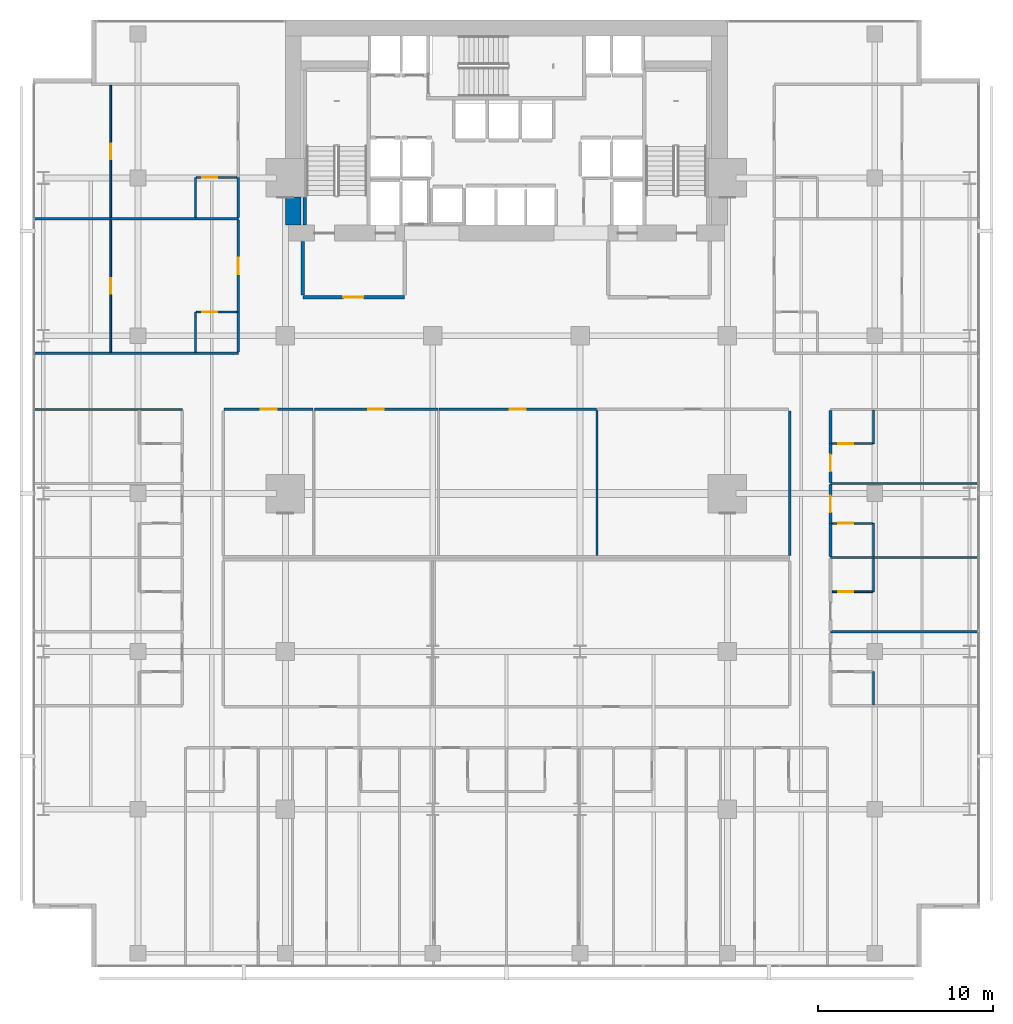
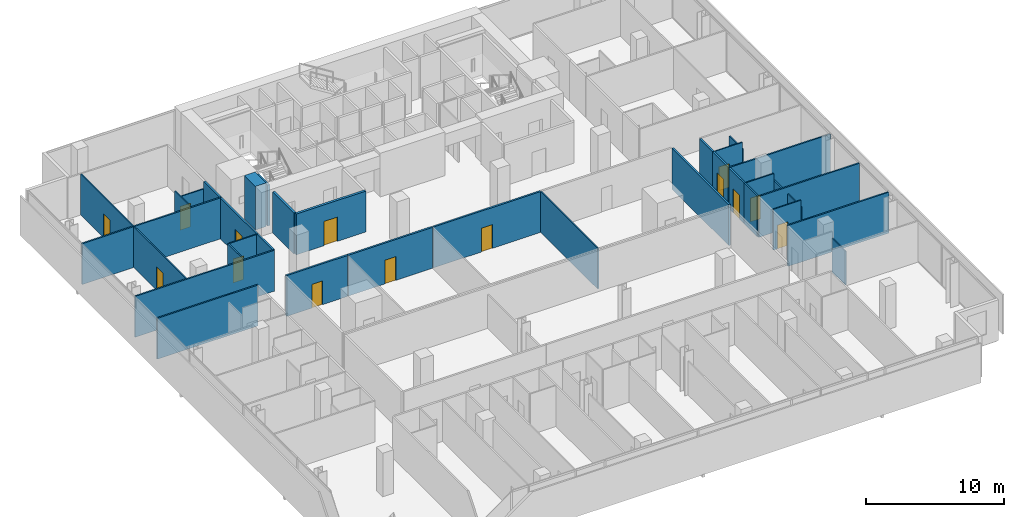
# One storey, part 35 of 40: 35 walls, 14 doors, 14 openings.
"""IFC4 building model written with IfcOpenShell, lengths in metres."""

from ifc_helpers import new_model, si_unit, direction, frame, frame_2d, origin, place, context, subcontext, project, spatial, rectangle, extrude, material, layer, layer_set, type_object, element, fill, save


model = new_model("IFC4")

# Units and contexts
model_context = context("Model", 3, precision=1e-05, world=origin(), true_north=direction((0.0, 1.0)))
body_context = subcontext(model_context, "Body", "Model", "MODEL_VIEW")
ifc_project = project(units=[si_unit("LENGTHUNIT", "METRE"), si_unit("AREAUNIT", "SQUARE_METRE"), si_unit("VOLUMEUNIT", "CUBIC_METRE"), si_unit("PLANEANGLEUNIT", "RADIAN"), si_unit("MASSUNIT", "GRAM", prefix="KILO")], contexts=[model_context])

# Site, building, storey
site_placement = place(None, origin())
site = spatial("IfcSite", under=ifc_project, at=site_placement, CompositionType="ELEMENT")
building_placement = place(site_placement, origin())
building = spatial("IfcBuilding", under=site, at=building_placement, Name="Maruvema Waterfront Hotel and Observation Tower", CompositionType="ELEMENT")
storey_placement = place(building_placement, frame((0.0, 0.0, 34.64990234375)))
storey = spatial("IfcBuildingStorey", under=building, at=storey_placement, Name="L07", CompositionType="ELEMENT", Elevation=34.64990234375)

# Wall
ifc_material_1 = material(Name="Twin-stud acoustic gypsum drywall", Category="gypsum")
ifc_layer_1 = layer(ifc_material_1, 0.14990234375, Name="Acoustic Corridor and Suite Demising Wall 150 mm")
ifc_layer_set_1 = layer_set([ifc_layer_1], Name="Twin-stud acoustic gypsum drywall")
wall_type_1 = type_object("IfcWallType", Name="Acoustic Corridor and Suite Demising Wall 150 mm", PredefinedType="PARTITIONING", material=ifc_layer_set_1)
wall_1_placement = place(storey_placement, frame((53.949951171875, 23.47998046875, 0.0), z_axis=(0.0, 0.0, 1.0), x_axis=(0.0, 1.0, 0.0)))
element("IfcWall", 1, at=wall_1_placement, inside=storey, type_object=wall_type_1, Name="L07 L07-INTN East Wall 014", PredefinedType="PARTITIONING", context=body_context, shape_type="SweptSolid", body=[
    extrude(rectangle(XDim=8.239990234375, YDim=0.14990234375, at=frame_2d((4.1201171875, 0.0))), origin(), (0.0, 0.0, 1.0), 3.610107421875),
])

# Wall, opening, door
wall_2_placement = place(storey_placement, frame((21.7099609375, 31.800048828125, 0.0), z_axis=(0.0, 0.0, 1.0), x_axis=(1.0, 0.0, 0.0)))
wall_2 = element("IfcWall", 2, at=wall_2_placement, inside=storey, type_object=wall_type_1, Name="L07 L07-INTN Front 1 015", PredefinedType="PARTITIONING", context=body_context, shape_type="SweptSolid", body=[
    extrude(rectangle(XDim=5.078125, YDim=0.14990234375, at=frame_2d((2.5390625, 0.0))), origin(), (0.0, 0.0, 1.0), 3.610107421875),
])
opening_1_placement = place(wall_2_placement, frame((2.089111328125, 0.0, 0.0)))
opening_1 = element("IfcOpeningElement", 3, at=opening_1_placement, cuts=wall_2, Name="Opening DR-090", PredefinedType="OPENING", context=body_context, shape_type="SweptSolid", body=[
    extrude(rectangle(XDim=0.89990234375, YDim=2.10009765625, at=frame_2d((0.449951171875, 1.050048828125))), frame((0.0, 0.0849609375, 0.0), z_axis=(0.0, -1.0, 0.0), x_axis=(1.0, 0.0, 0.0)), (0.0, 0.0, 1.0), 0.169921875),
])
ifc_material_2 = material(Name="Solid-core lacquered timber leaf", Category="wood")
door_type_1 = type_object("IfcDoorType", Name="Accessible Toilet and Room Door 900x2100 mm", OperationType="NOTDEFINED", PredefinedType="DOOR", material=ifc_material_2)
door_1_placement = place(opening_1_placement, origin())
door_1 = element("IfcDoor", 4, at=door_1_placement, inside=storey, type_object=door_type_1, Name="L07 Business Office 1 Door", OperationType="SINGLE_SWING_LEFT", OverallHeight=2.10009765625, OverallWidth=0.89990234375, PredefinedType="DOOR", context=body_context, shape_type="SweptSolid", body=[
    extrude(rectangle(XDim=0.89990234375, YDim=2.10009765625, at=frame_2d((0.449951171875, 1.050048828125))), frame((0.0, 0.02490234375, 0.0), z_axis=(0.0, -1.0, 0.0), x_axis=(1.0, 0.0, 0.0)), (0.0, 0.0, 1.0), 0.050048828125),
])
fill(opening_1, door_1)

wall_3_placement = place(storey_placement, frame((26.847900390625, 31.800048828125, 0.0), z_axis=(0.0, 0.0, 1.0), x_axis=(1.0, 0.0, 0.0)))
wall_3 = element("IfcWall", 5, at=wall_3_placement, inside=storey, type_object=wall_type_1, Name="L07 L07-INTN Front 2 017", PredefinedType="PARTITIONING", context=body_context, shape_type="SweptSolid", body=[
    extrude(rectangle(XDim=7.046142578125, YDim=0.14990234375, at=frame_2d((3.52294921875, 0.0))), origin(), (0.0, 0.0, 1.0), 3.610107421875),
])
opening_2_placement = place(wall_3_placement, frame((3.072998046875, 0.0, 0.0)))
opening_2 = element("IfcOpeningElement", 6, at=opening_2_placement, cuts=wall_3, Name="Opening DR-090", PredefinedType="OPENING", context=body_context, shape_type="SweptSolid", body=[
    extrude(rectangle(XDim=0.89990234375, YDim=2.10009765625, at=frame_2d((0.449951171875, 1.050048828125))), frame((0.0, 0.0849609375, 0.0), z_axis=(0.0, -1.0, 0.0), x_axis=(1.0, 0.0, 0.0)), (0.0, 0.0, 1.0), 0.169921875),
])
door_2_placement = place(opening_2_placement, origin())
door_2 = element("IfcDoor", 7, at=door_2_placement, inside=storey, type_object=door_type_1, Name="L07 Business Office 2 Door", OperationType="SINGLE_SWING_RIGHT", OverallHeight=2.10009765625, OverallWidth=0.89990234375, PredefinedType="DOOR", context=body_context, shape_type="SweptSolid", body=[
    extrude(rectangle(XDim=0.89990234375, YDim=2.10009765625, at=frame_2d((0.449951171875, 1.050048828125))), frame((0.0, 0.02490234375, 0.0), z_axis=(0.0, -1.0, 0.0), x_axis=(1.0, 0.0, 0.0)), (0.0, 0.0, 1.0), 0.050048828125),
])
fill(opening_2, door_2)

wall_4_placement = place(storey_placement, frame((33.9541015625, 31.800048828125, 0.0), z_axis=(0.0, 0.0, 1.0), x_axis=(1.0, 0.0, 0.0)))
wall_4 = element("IfcWall", 8, at=wall_4_placement, inside=storey, type_object=wall_type_1, Name="L07 L07-INTN Front 3 019", PredefinedType="PARTITIONING", context=body_context, shape_type="SweptSolid", body=[
    extrude(rectangle(XDim=8.98388671875, YDim=0.14990234375, at=frame_2d((4.491943359375, 0.0))), origin(), (0.0, 0.0, 1.0), 3.610107421875),
])
opening_3_placement = place(wall_4_placement, frame((4.0419921875, 0.0, 0.0)))
opening_3 = element("IfcOpeningElement", 9, at=opening_3_placement, cuts=wall_4, Name="Opening DR-090", PredefinedType="OPENING", context=body_context, shape_type="SweptSolid", body=[
    extrude(rectangle(XDim=0.89990234375, YDim=2.10009765625, at=frame_2d((0.449951171875, 1.050048828125))), frame((0.0, 0.0849609375, 0.0), z_axis=(0.0, -1.0, 0.0), x_axis=(1.0, 0.0, 0.0)), (0.0, 0.0, 1.0), 0.169921875),
])
door_3_placement = place(opening_3_placement, origin())
door_3 = element("IfcDoor", 10, at=door_3_placement, inside=storey, type_object=door_type_1, Name="L07 Butler Kitchenette Door", OperationType="SINGLE_SWING_LEFT", OverallHeight=2.10009765625, OverallWidth=0.89990234375, PredefinedType="DOOR", context=body_context, shape_type="SweptSolid", body=[
    extrude(rectangle(XDim=0.89990234375, YDim=2.10009765625, at=frame_2d((0.449951171875, 1.050048828125))), frame((0.0, 0.02490234375, 0.0), z_axis=(0.0, -1.0, 0.0), x_axis=(1.0, 0.0, 0.0)), (0.0, 0.0, 1.0), 0.050048828125),
])
fill(opening_3, door_3)

# Wall
wall_5_placement = place(storey_placement, frame((56.280029296875, 23.409912109375, 0.0), z_axis=(0.0, 0.0, 1.0), x_axis=(0.0, 1.0, 0.0)))
element("IfcWall", 11, at=wall_5_placement, inside=storey, type_object=wall_type_1, Name="L07 Bath L07-E3 Wall 099", PredefinedType="PARTITIONING", context=body_context, shape_type="SweptSolid", body=[
    extrude(rectangle(XDim=1.89013671875, YDim=0.14990234375, at=frame_2d((0.945068359375, 0.0))), origin(), (0.0, 0.0, 1.0), 3.610107421875),
])

# Wall, opening, door
wall_6_placement = place(storey_placement, frame((56.280029296875, 25.300048828125, 0.0), z_axis=(0.0, 0.0, 1.0), x_axis=(0.0, 1.0, 0.0)))
wall_6 = element("IfcWall", 12, at=wall_6_placement, inside=storey, type_object=wall_type_1, Name="L07 Room L07-E3 Corridor Wall 100", PredefinedType="PARTITIONING", context=body_context, shape_type="SweptSolid", body=[
    extrude(rectangle(XDim=2.2099609375, YDim=0.14990234375, at=frame_2d((1.10498046875, 0.0))), origin(), (0.0, 0.0, 1.0), 3.610107421875),
])
opening_4_placement = place(wall_6_placement, frame((0.6298828125, 0.0, 0.0)))
opening_4 = element("IfcOpeningElement", 13, at=opening_4_placement, cuts=wall_6, Name="Opening DR-095", PredefinedType="OPENING", context=body_context, shape_type="SweptSolid", body=[
    extrude(rectangle(XDim=0.949951171875, YDim=2.14990234375, at=frame_2d((0.47509765625, 1.074951171875))), frame((0.0, 0.0849609375, 0.0), z_axis=(0.0, -1.0, 0.0), x_axis=(1.0, 0.0, 0.0)), (0.0, 0.0, 1.0), 0.169921875),
])
ifc_material_3 = material(Name="Acoustic solid-core hardwood timber leaf", Category="wood")
door_type_2 = type_object("IfcDoorType", Name="Guestroom Entrance Fire Door 950x2150 mm", OperationType="NOTDEFINED", PredefinedType="DOOR", material=ifc_material_3)
door_4_placement = place(opening_4_placement, frame((0.949951171875, 0.0, 0.0), z_axis=(0.0, 0.0, 1.0), x_axis=(-1.0, 0.0, 0.0)))
door_4 = element("IfcDoor", 14, at=door_4_placement, inside=storey, type_object=door_type_2, Name="L07 Room L07-E3 Entrance Door", OperationType="SINGLE_SWING_RIGHT", OverallHeight=2.14990234375, OverallWidth=0.949951171875, PredefinedType="DOOR", context=body_context, shape_type="SweptSolid", body=[
    extrude(rectangle(XDim=0.949951171875, YDim=2.14990234375, at=frame_2d((0.47509765625, 1.074951171875))), frame((0.0, 0.02490234375, 0.0), z_axis=(0.0, -1.0, 0.0), x_axis=(1.0, 0.0, 0.0)), (0.0, 0.0, 1.0), 0.050048828125),
])
fill(opening_4, door_4)

wall_7_placement = place(storey_placement, frame((56.280029296875, 27.6298828125, 0.0), z_axis=(0.0, 0.0, 1.0), x_axis=(0.0, 1.0, 0.0)))
wall_7 = element("IfcWall", 15, at=wall_7_placement, inside=storey, type_object=wall_type_1, Name="L07 Room L07-E4 Corridor Wall 109", PredefinedType="PARTITIONING", context=body_context, shape_type="SweptSolid", body=[
    extrude(rectangle(XDim=2.22021484375, YDim=0.14990234375, at=frame_2d((1.110107421875, 0.0))), origin(), (0.0, 0.0, 1.0), 3.610107421875),
])
opening_5_placement = place(wall_7_placement, frame((0.635009765625, 0.0, 0.0)))
opening_5 = element("IfcOpeningElement", 16, at=opening_5_placement, cuts=wall_7, Name="Opening DR-095", PredefinedType="OPENING", context=body_context, shape_type="SweptSolid", body=[
    extrude(rectangle(XDim=0.949951171875, YDim=2.14990234375, at=frame_2d((0.47509765625, 1.074951171875))), frame((0.0, 0.0849609375, 0.0), z_axis=(0.0, -1.0, 0.0), x_axis=(1.0, 0.0, 0.0)), (0.0, 0.0, 1.0), 0.169921875),
])
door_5_placement = place(opening_5_placement, frame((0.949951171875, 0.0, 0.0), z_axis=(0.0, 0.0, 1.0), x_axis=(-1.0, 0.0, 0.0)))
door_5 = element("IfcDoor", 17, at=door_5_placement, inside=storey, type_object=door_type_2, Name="L07 Room L07-E4 Entrance Door", OperationType="SINGLE_SWING_RIGHT", OverallHeight=2.14990234375, OverallWidth=0.949951171875, PredefinedType="DOOR", context=body_context, shape_type="SweptSolid", body=[
    extrude(rectangle(XDim=0.949951171875, YDim=2.14990234375, at=frame_2d((0.47509765625, 1.074951171875))), frame((0.0, 0.02490234375, 0.0), z_axis=(0.0, -1.0, 0.0), x_axis=(1.0, 0.0, 0.0)), (0.0, 0.0, 1.0), 0.050048828125),
])
fill(opening_5, door_5)

# Walls
wall_8_placement = place(storey_placement, frame((56.280029296875, 29.85009765625, 0.0), z_axis=(0.0, 0.0, 1.0), x_axis=(0.0, 1.0, 0.0)))
element("IfcWall", 18, at=wall_8_placement, inside=storey, type_object=wall_type_1, Name="L07 Bath L07-E4 Wall 110", PredefinedType="PARTITIONING", context=body_context, shape_type="SweptSolid", body=[
    extrude(rectangle(XDim=1.889892578125, YDim=0.14990234375, at=frame_2d((0.94482421875, 0.0))), origin(), (0.0, 0.0, 1.0), 3.610107421875),
])
wall_9_placement = place(storey_placement, frame((22.52001953125, 35.06005859375, 0.0), z_axis=(0.0, 0.0, 1.0), x_axis=(0.0, 1.0, 0.0)))
element("IfcWall", 19, at=wall_9_placement, inside=storey, type_object=wall_type_1, Name="L07 Bath L07-NW1 Wall 117", PredefinedType="PARTITIONING", context=body_context, shape_type="SweptSolid", body=[
    extrude(rectangle(XDim=2.2900390625, YDim=0.14990234375, at=frame_2d((1.14501953125, 0.0))), origin(), (0.0, 0.0, 1.0), 3.610107421875),
])

# Wall, opening, door
wall_10_placement = place(storey_placement, frame((22.52001953125, 37.35009765625, 0.0), z_axis=(0.0, 0.0, 1.0), x_axis=(0.0, 1.0, 0.0)))
wall_10 = element("IfcWall", 20, at=wall_10_placement, inside=storey, type_object=wall_type_1, Name="L07 Room L07-NW1 Corridor Wall 118", PredefinedType="PARTITIONING", context=body_context, shape_type="SweptSolid", body=[
    extrude(rectangle(XDim=5.2587890625, YDim=0.14990234375, at=frame_2d((2.62939453125, 0.0))), origin(), (0.0, 0.0, 1.0), 3.610107421875),
])
opening_6_placement = place(wall_10_placement, frame((2.154296875, 0.0, 0.0)))
opening_6 = element("IfcOpeningElement", 21, at=opening_6_placement, cuts=wall_10, Name="Opening DR-095", PredefinedType="OPENING", context=body_context, shape_type="SweptSolid", body=[
    extrude(rectangle(XDim=0.949951171875, YDim=2.14990234375, at=frame_2d((0.47509765625, 1.074951171875))), frame((0.0, 0.0849609375, 0.0), z_axis=(0.0, -1.0, 0.0), x_axis=(1.0, 0.0, 0.0)), (0.0, 0.0, 1.0), 0.169921875),
])
door_6_placement = place(opening_6_placement, origin())
door_6 = element("IfcDoor", 22, at=door_6_placement, inside=storey, type_object=door_type_2, Name="L07 Room L07-NW1 Entrance Door", OperationType="SINGLE_SWING_RIGHT", OverallHeight=2.14990234375, OverallWidth=0.949951171875, PredefinedType="DOOR", context=body_context, shape_type="SweptSolid", body=[
    extrude(rectangle(XDim=0.949951171875, YDim=2.14990234375, at=frame_2d((0.47509765625, 1.074951171875))), frame((0.0, 0.02490234375, 0.0), z_axis=(0.0, -1.0, 0.0), x_axis=(1.0, 0.0, 0.0)), (0.0, 0.0, 1.0), 0.050048828125),
])
fill(opening_6, door_6)

# Walls
wall_11_placement = place(storey_placement, frame((22.52001953125, 42.728759765625, 0.0), z_axis=(0.0, 0.0, 1.0), x_axis=(0.0, 1.0, 0.0)))
element("IfcWall", 23, at=wall_11_placement, inside=storey, type_object=wall_type_1, Name="L07 Bath L07-NW2 Wall 129", PredefinedType="PARTITIONING", context=body_context, shape_type="SweptSolid", body=[
    extrude(rectangle(XDim=2.2900390625, YDim=0.14990234375, at=frame_2d((1.14501953125, 0.0))), origin(), (0.0, 0.0, 1.0), 3.610107421875),
])
ifc_material_4 = material(Name="Precast concrete C45/55", Category="concrete")
ifc_layer_2 = layer(ifc_material_4, 0.199951171875, Name="Core Shaft and Stairwell Enclosure Wall 200 mm")
ifc_layer_set_2 = layer_set([ifc_layer_2], Name="Precast concrete C45/55")
wall_type_2 = type_object("IfcWallType", Name="Core Shaft and Stairwell Enclosure Wall 200 mm", PredefinedType="SOLIDWALL", material=ifc_layer_set_2)
wall_12_placement = place(storey_placement, frame((26.300048828125, 42.300048828125, 0.0), z_axis=(0.0, 0.0, 1.0), x_axis=(0.0, 1.0, 0.0)))
element("IfcWall", 24, at=wall_12_placement, inside=storey, type_object=wall_type_2, Name="L07 Stairwell ST-01 Shaft Lining Wall", PredefinedType="SOLIDWALL", context=body_context, shape_type="SweptSolid", body=[
    extrude(rectangle(XDim=1.579833984375, YDim=0.199951171875, at=frame_2d((0.7900390625, 0.0))), origin(), (0.0, 0.0, 1.0), 3.610107421875),
])
ifc_material_5 = material(Name="Concrete C80/95", Category="concrete")
ifc_layer_3 = layer(ifc_material_5, 0.89990234375, Name="Core Shear Wall 900 mm")
ifc_layer_set_3 = layer_set([ifc_layer_3], Name="Concrete C80/95")
wall_type_3 = type_object("IfcWallType", Name="Core Shear Wall 900 mm", PredefinedType="SHEAR", material=ifc_layer_set_3)
wall_13_placement = place(storey_placement, frame((25.64990234375, 42.300048828125, 0.0), z_axis=(0.0, 0.0, 1.0), x_axis=(0.0, 1.0, 0.0)))
element("IfcWall", 25, at=wall_13_placement, inside=storey, type_object=wall_type_3, Name="L07 West-South Core Shear Wall", PredefinedType="SHEAR", context=body_context, shape_type="SweptSolid", body=[
    extrude(rectangle(XDim=1.599853515625, YDim=0.89990234375, at=frame_2d((0.7998046875, 0.0))), origin(), (0.0, 0.0, 1.0), 3.85009765625),
])
ifc_material_6 = material(Name="Moisture-resistant cement-board drywall", Category="gypsum")
ifc_layer_4 = layer(ifc_material_6, 0.10009765625, Name="En-Suite Moisture-Resistant Partition 100 mm")
ifc_layer_set_4 = layer_set([ifc_layer_4], Name="Moisture-resistant cement-board drywall")
wall_type_4 = type_object("IfcWallType", Name="En-Suite Moisture-Resistant Partition 100 mm", PredefinedType="PARTITIONING", material=ifc_layer_set_4)
wall_14_placement = place(storey_placement, frame((42.968017578125, 23.47998046875, 0.0), z_axis=(0.0, 0.0, 1.0), x_axis=(0.0, 1.0, 0.0)))
element("IfcWall", 26, at=wall_14_placement, inside=storey, type_object=wall_type_4, Name="L07 L07-INTN Split 3 020", PredefinedType="PARTITIONING", context=body_context, shape_type="SweptSolid", body=[
    extrude(rectangle(XDim=8.239990234375, YDim=0.10009765625, at=frame_2d((4.1201171875, 0.0))), origin(), (0.0, 0.0, 1.0), 3.610107421875),
])
for number, where, z_axis, x_axis, name in (
    (27, (58.72998046875, 14.9599609375, 0.0), (0.0, 0.0, 1.0), (0.0, 1.0, 0.0), "L07 En-Suite L07-E1 E 081"),
    (28, (58.72998046875, 21.39990234375, 0.0), (0.0, 0.0, 1.0), (0.0, 1.0, 0.0), "L07 En-Suite L07-E2 E 091"),
):
    element("IfcWall", number, at=place(storey_placement, frame(where, z_axis=z_axis, x_axis=x_axis)), inside=storey, type_object=wall_type_4, Name=name, PredefinedType="PARTITIONING", context=body_context, shape_type="SweptSolid", body=[
        extrude(rectangle(XDim=1.89013671875, YDim=0.10009765625, at=frame_2d((0.945068359375, 0.0))), origin(), (0.0, 0.0, 1.0), 2.988037109375),
    ])

# Wall, opening, door
wall_15_placement = place(storey_placement, frame((56.3798828125, 21.39990234375, 0.0), z_axis=(0.0, 0.0, 1.0), x_axis=(1.0, 0.0, 0.0)))
wall_15 = element("IfcWall", 29, at=wall_15_placement, inside=storey, type_object=wall_type_4, Name="L07 En-Suite L07-E2 S 092", PredefinedType="PARTITIONING", context=body_context, shape_type="SweptSolid", body=[
    extrude(rectangle(XDim=2.300048828125, YDim=0.10009765625, at=frame_2d((1.14990234375, 0.0))), origin(), (0.0, 0.0, 1.0), 3.610107421875),
])
opening_7_placement = place(wall_15_placement, frame((0.35009765625, 0.0, 0.0)))
opening_7 = element("IfcOpeningElement", 30, at=opening_7_placement, cuts=wall_15, Name="Opening DR-085", PredefinedType="OPENING", context=body_context, shape_type="SweptSolid", body=[
    extrude(rectangle(XDim=0.85009765625, YDim=2.10009765625, at=frame_2d((0.425048828125, 1.050048828125))), frame((0.0, 0.06005859375, 0.0), z_axis=(0.0, -1.0, 0.0), x_axis=(1.0, 0.0, 0.0)), (0.0, 0.0, 1.0), 0.1201171875),
])
ifc_material_7 = material(Name="Moisture-resistant solid timber leaf", Category="wood")
door_type_3 = type_object("IfcDoorType", Name="En-Suite Bathroom Door 850x2100 mm", OperationType="NOTDEFINED", PredefinedType="DOOR", material=ifc_material_7)
door_7_placement = place(opening_7_placement, frame((0.85009765625, 0.0, 0.0), z_axis=(0.0, 0.0, 1.0), x_axis=(-1.0, 0.0, 0.0)))
door_7 = element("IfcDoor", 31, at=door_7_placement, inside=storey, type_object=door_type_3, Name="L07 En-Suite L07-E2 Door", OperationType="SINGLE_SWING_LEFT", OverallHeight=2.10009765625, OverallWidth=0.85009765625, PredefinedType="DOOR", context=body_context, shape_type="SweptSolid", body=[
    extrude(rectangle(XDim=0.85009765625, YDim=2.10009765625, at=frame_2d((0.425048828125, 1.050048828125))), frame((0.0, 0.02490234375, 0.0), z_axis=(0.0, -1.0, 0.0), x_axis=(1.0, 0.0, 0.0)), (0.0, 0.0, 1.0), 0.050048828125),
])
fill(opening_7, door_7)

# Wall
wall_16_placement = place(storey_placement, frame((58.72998046875, 23.409912109375, 0.0), z_axis=(0.0, 0.0, 1.0), x_axis=(0.0, 1.0, 0.0)))
element("IfcWall", 32, at=wall_16_placement, inside=storey, type_object=wall_type_4, Name="L07 En-Suite L07-E3 E 101", PredefinedType="PARTITIONING", context=body_context, shape_type="SweptSolid", body=[
    extrude(rectangle(XDim=1.89013671875, YDim=0.10009765625, at=frame_2d((0.945068359375, 0.0))), origin(), (0.0, 0.0, 1.0), 2.988037109375),
])

# Wall, opening, door
wall_17_placement = place(storey_placement, frame((56.3798828125, 25.300048828125, 0.0), z_axis=(0.0, 0.0, 1.0), x_axis=(1.0, 0.0, 0.0)))
wall_17 = element("IfcWall", 33, at=wall_17_placement, inside=storey, type_object=wall_type_4, Name="L07 En-Suite L07-E3 N 102", PredefinedType="PARTITIONING", context=body_context, shape_type="SweptSolid", body=[
    extrude(rectangle(XDim=2.300048828125, YDim=0.10009765625, at=frame_2d((1.14990234375, 0.0))), origin(), (0.0, 0.0, 1.0), 3.610107421875),
])
opening_8_placement = place(wall_17_placement, frame((0.35009765625, 0.0, 0.0)))
opening_8 = element("IfcOpeningElement", 34, at=opening_8_placement, cuts=wall_17, Name="Opening DR-085", PredefinedType="OPENING", context=body_context, shape_type="SweptSolid", body=[
    extrude(rectangle(XDim=0.85009765625, YDim=2.10009765625, at=frame_2d((0.425048828125, 1.050048828125))), frame((0.0, 0.06005859375, 0.0), z_axis=(0.0, -1.0, 0.0), x_axis=(1.0, 0.0, 0.0)), (0.0, 0.0, 1.0), 0.1201171875),
])
door_8_placement = place(opening_8_placement, origin())
door_8 = element("IfcDoor", 35, at=door_8_placement, inside=storey, type_object=door_type_3, Name="L07 En-Suite L07-E3 Door", OperationType="SINGLE_SWING_LEFT", OverallHeight=2.10009765625, OverallWidth=0.85009765625, PredefinedType="DOOR", context=body_context, shape_type="SweptSolid", body=[
    extrude(rectangle(XDim=0.85009765625, YDim=2.10009765625, at=frame_2d((0.425048828125, 1.050048828125))), frame((0.0, 0.02490234375, 0.0), z_axis=(0.0, -1.0, 0.0), x_axis=(1.0, 0.0, 0.0)), (0.0, 0.0, 1.0), 0.050048828125),
])
fill(opening_8, door_8)

# Wall
wall_18_placement = place(storey_placement, frame((58.72998046875, 29.85009765625, 0.0), z_axis=(0.0, 0.0, 1.0), x_axis=(0.0, 1.0, 0.0)))
element("IfcWall", 36, at=wall_18_placement, inside=storey, type_object=wall_type_4, Name="L07 En-Suite L07-E4 E 111", PredefinedType="PARTITIONING", context=body_context, shape_type="SweptSolid", body=[
    extrude(rectangle(XDim=1.889892578125, YDim=0.10009765625, at=frame_2d((0.94482421875, 0.0))), origin(), (0.0, 0.0, 1.0), 2.988037109375),
])

# Wall, opening, door
wall_19_placement = place(storey_placement, frame((56.3798828125, 29.85009765625, 0.0), z_axis=(0.0, 0.0, 1.0), x_axis=(1.0, 0.0, 0.0)))
wall_19 = element("IfcWall", 37, at=wall_19_placement, inside=storey, type_object=wall_type_4, Name="L07 En-Suite L07-E4 S 112", PredefinedType="PARTITIONING", context=body_context, shape_type="SweptSolid", body=[
    extrude(rectangle(XDim=2.300048828125, YDim=0.10009765625, at=frame_2d((1.14990234375, 0.0))), origin(), (0.0, 0.0, 1.0), 3.610107421875),
])
opening_9_placement = place(wall_19_placement, frame((0.35009765625, 0.0, 0.0)))
opening_9 = element("IfcOpeningElement", 38, at=opening_9_placement, cuts=wall_19, Name="Opening DR-085", PredefinedType="OPENING", context=body_context, shape_type="SweptSolid", body=[
    extrude(rectangle(XDim=0.85009765625, YDim=2.10009765625, at=frame_2d((0.425048828125, 1.050048828125))), frame((0.0, 0.06005859375, 0.0), z_axis=(0.0, -1.0, 0.0), x_axis=(1.0, 0.0, 0.0)), (0.0, 0.0, 1.0), 0.1201171875),
])
door_9_placement = place(opening_9_placement, frame((0.85009765625, 0.0, 0.0), z_axis=(0.0, 0.0, 1.0), x_axis=(-1.0, 0.0, 0.0)))
door_9 = element("IfcDoor", 39, at=door_9_placement, inside=storey, type_object=door_type_3, Name="L07 En-Suite L07-E4 Door", OperationType="SINGLE_SWING_LEFT", OverallHeight=2.10009765625, OverallWidth=0.85009765625, PredefinedType="DOOR", context=body_context, shape_type="SweptSolid", body=[
    extrude(rectangle(XDim=0.85009765625, YDim=2.10009765625, at=frame_2d((0.425048828125, 1.050048828125))), frame((0.0, 0.02490234375, 0.0), z_axis=(0.0, -1.0, 0.0), x_axis=(1.0, 0.0, 0.0)), (0.0, 0.0, 1.0), 0.050048828125),
])
fill(opening_9, door_9)

# Wall
wall_20_placement = place(storey_placement, frame((20.070068359375, 35.06005859375, 0.0), z_axis=(0.0, 0.0, 1.0), x_axis=(0.0, 1.0, 0.0)))
element("IfcWall", 40, at=wall_20_placement, inside=storey, type_object=wall_type_4, Name="L07 En-Suite L07-NW1 W 119", PredefinedType="PARTITIONING", context=body_context, shape_type="SweptSolid", body=[
    extrude(rectangle(XDim=2.2900390625, YDim=0.10009765625, at=frame_2d((1.14501953125, 0.0))), origin(), (0.0, 0.0, 1.0), 3.610107421875),
])

# Wall, opening, door
wall_21_placement = place(storey_placement, frame((20.1201171875, 37.35009765625, 0.0), z_axis=(0.0, 0.0, 1.0), x_axis=(1.0, 0.0, 0.0)))
wall_21 = element("IfcWall", 41, at=wall_21_placement, inside=storey, type_object=wall_type_4, Name="L07 En-Suite L07-NW1 N 120", PredefinedType="PARTITIONING", context=body_context, shape_type="SweptSolid", body=[
    extrude(rectangle(XDim=2.2998046875, YDim=0.10009765625, at=frame_2d((1.14990234375, 0.0))), origin(), (0.0, 0.0, 1.0), 3.610107421875),
])
opening_10_placement = place(wall_21_placement, frame((0.35009765625, 0.0, 0.0)))
opening_10 = element("IfcOpeningElement", 42, at=opening_10_placement, cuts=wall_21, Name="Opening DR-085", PredefinedType="OPENING", context=body_context, shape_type="SweptSolid", body=[
    extrude(rectangle(XDim=0.85009765625, YDim=2.10009765625, at=frame_2d((0.425048828125, 1.050048828125))), frame((0.0, 0.06005859375, 0.0), z_axis=(0.0, -1.0, 0.0), x_axis=(1.0, 0.0, 0.0)), (0.0, 0.0, 1.0), 0.1201171875),
])
door_10_placement = place(opening_10_placement, origin())
door_10 = element("IfcDoor", 43, at=door_10_placement, inside=storey, type_object=door_type_3, Name="L07 En-Suite L07-NW1 Door", OperationType="SINGLE_SWING_LEFT", OverallHeight=2.10009765625, OverallWidth=0.85009765625, PredefinedType="DOOR", context=body_context, shape_type="SweptSolid", body=[
    extrude(rectangle(XDim=0.85009765625, YDim=2.10009765625, at=frame_2d((0.425048828125, 1.050048828125))), frame((0.0, 0.02490234375, 0.0), z_axis=(0.0, -1.0, 0.0), x_axis=(1.0, 0.0, 0.0)), (0.0, 0.0, 1.0), 0.050048828125),
])
fill(opening_10, door_10)

wall_22_placement = place(storey_placement, frame((15.24951171875, 35.06005859375, 0.0), z_axis=(0.0, 0.0, 1.0), x_axis=(0.0, 1.0, 0.0)))
wall_22 = element("IfcWall", 44, at=wall_22_placement, inside=storey, type_object=wall_type_4, Name="L07 Suite L07-NW1 Split 121", PredefinedType="PARTITIONING", context=body_context, shape_type="SweptSolid", body=[
    extrude(rectangle(XDim=7.548828125, YDim=0.10009765625, at=frame_2d((3.7744140625, 0.0))), origin(), (0.0, 0.0, 1.0), 3.610107421875),
])
opening_11_placement = place(wall_22_placement, frame((3.324462890625, 0.0, 0.0)))
opening_11 = element("IfcOpeningElement", 45, at=opening_11_placement, cuts=wall_22, Name="Opening DR-090", PredefinedType="OPENING", context=body_context, shape_type="SweptSolid", body=[
    extrude(rectangle(XDim=0.89990234375, YDim=2.10009765625, at=frame_2d((0.449951171875, 1.050048828125))), frame((0.0, 0.06005859375, 0.0), z_axis=(0.0, -1.0, 0.0), x_axis=(1.0, 0.0, 0.0)), (0.0, 0.0, 1.0), 0.1201171875),
])
door_11_placement = place(opening_11_placement, origin())
door_11 = element("IfcDoor", 46, at=door_11_placement, inside=storey, type_object=door_type_1, Name="L07 Suite L07-NW1 Bedroom Door", OperationType="SINGLE_SWING_LEFT", OverallHeight=2.10009765625, OverallWidth=0.89990234375, PredefinedType="DOOR", context=body_context, shape_type="SweptSolid", body=[
    extrude(rectangle(XDim=0.89990234375, YDim=2.10009765625, at=frame_2d((0.449951171875, 1.050048828125))), frame((0.0, 0.02490234375, 0.0), z_axis=(0.0, -1.0, 0.0), x_axis=(1.0, 0.0, 0.0)), (0.0, 0.0, 1.0), 0.050048828125),
])
fill(opening_11, door_11)

# Wall
wall_23_placement = place(storey_placement, frame((20.070068359375, 42.728759765625, 0.0), z_axis=(0.0, 0.0, 1.0), x_axis=(0.0, 1.0, 0.0)))
element("IfcWall", 47, at=wall_23_placement, inside=storey, type_object=wall_type_4, Name="L07 En-Suite L07-NW2 W 131", PredefinedType="PARTITIONING", context=body_context, shape_type="SweptSolid", body=[
    extrude(rectangle(XDim=2.2900390625, YDim=0.10009765625, at=frame_2d((1.14501953125, 0.0))), origin(), (0.0, 0.0, 1.0), 3.610107421875),
])

# Wall, opening, door
wall_24_placement = place(storey_placement, frame((20.1201171875, 45.018798828125, 0.0), z_axis=(0.0, 0.0, 1.0), x_axis=(1.0, 0.0, 0.0)))
wall_24 = element("IfcWall", 48, at=wall_24_placement, inside=storey, type_object=wall_type_4, Name="L07 En-Suite L07-NW2 N 132", PredefinedType="PARTITIONING", context=body_context, shape_type="SweptSolid", body=[
    extrude(rectangle(XDim=2.2998046875, YDim=0.10009765625, at=frame_2d((1.14990234375, 0.0))), origin(), (0.0, 0.0, 1.0), 2.988037109375),
])
opening_12_placement = place(wall_24_placement, frame((0.35009765625, 0.0, 0.0)))
opening_12 = element("IfcOpeningElement", 49, at=opening_12_placement, cuts=wall_24, Name="Opening DR-085", PredefinedType="OPENING", context=body_context, shape_type="SweptSolid", body=[
    extrude(rectangle(XDim=0.85009765625, YDim=2.10009765625, at=frame_2d((0.425048828125, 1.050048828125))), frame((0.0, 0.06005859375, 0.0), z_axis=(0.0, -1.0, 0.0), x_axis=(1.0, 0.0, 0.0)), (0.0, 0.0, 1.0), 0.1201171875),
])
door_12_placement = place(opening_12_placement, origin())
door_12 = element("IfcDoor", 50, at=door_12_placement, inside=storey, type_object=door_type_3, Name="L07 En-Suite L07-NW2 Door", OperationType="SINGLE_SWING_LEFT", OverallHeight=2.10009765625, OverallWidth=0.85009765625, PredefinedType="DOOR", context=body_context, shape_type="SweptSolid", body=[
    extrude(rectangle(XDim=0.85009765625, YDim=2.10009765625, at=frame_2d((0.425048828125, 1.050048828125))), frame((0.0, 0.02490234375, 0.0), z_axis=(0.0, -1.0, 0.0), x_axis=(1.0, 0.0, 0.0)), (0.0, 0.0, 1.0), 0.050048828125),
])
fill(opening_12, door_12)

wall_25_placement = place(storey_placement, frame((15.24951171875, 42.728759765625, 0.0), z_axis=(0.0, 0.0, 1.0), x_axis=(0.0, 1.0, 0.0)))
wall_25 = element("IfcWall", 51, at=wall_25_placement, inside=storey, type_object=wall_type_4, Name="L07 Suite L07-NW2 Split 133", PredefinedType="PARTITIONING", context=body_context, shape_type="SweptSolid", body=[
    extrude(rectangle(XDim=7.548828125, YDim=0.10009765625, at=frame_2d((3.7744140625, 0.0))), origin(), (0.0, 0.0, 1.0), 3.610107421875),
])
opening_13_placement = place(wall_25_placement, frame((3.324462890625, 0.0, 0.0)))
opening_13 = element("IfcOpeningElement", 52, at=opening_13_placement, cuts=wall_25, Name="Opening DR-090", PredefinedType="OPENING", context=body_context, shape_type="SweptSolid", body=[
    extrude(rectangle(XDim=0.89990234375, YDim=2.10009765625, at=frame_2d((0.449951171875, 1.050048828125))), frame((0.0, 0.06005859375, 0.0), z_axis=(0.0, -1.0, 0.0), x_axis=(1.0, 0.0, 0.0)), (0.0, 0.0, 1.0), 0.1201171875),
])
door_13_placement = place(opening_13_placement, origin())
door_13 = element("IfcDoor", 53, at=door_13_placement, inside=storey, type_object=door_type_1, Name="L07 Suite L07-NW2 Bedroom Door", OperationType="SINGLE_SWING_LEFT", OverallHeight=2.10009765625, OverallWidth=0.89990234375, PredefinedType="DOOR", context=body_context, shape_type="SweptSolid", body=[
    extrude(rectangle(XDim=0.89990234375, YDim=2.10009765625, at=frame_2d((0.449951171875, 1.050048828125))), frame((0.0, 0.02490234375, 0.0), z_axis=(0.0, -1.0, 0.0), x_axis=(1.0, 0.0, 0.0)), (0.0, 0.0, 1.0), 0.050048828125),
])
fill(opening_13, door_13)

ifc_material_8 = material(Name="Autoclaved cellular concrete blockwork", Category="masonry")
ifc_layer_5 = layer(ifc_material_8, 0.199951171875, Name="Fire Compartment Masonry Wall 200 mm")
ifc_layer_set_5 = layer_set([ifc_layer_5], Name="Autoclaved cellular concrete blockwork")
wall_type_5 = type_object("IfcWallType", Name="Fire Compartment Masonry Wall 200 mm", PredefinedType="PARTITIONING", material=ifc_layer_set_5)
wall_26_placement = place(storey_placement, frame((26.199951171875, 38.199951171875, 0.0), z_axis=(0.0, 0.0, 1.0), x_axis=(1.0, 0.0, 0.0)))
wall_26 = element("IfcWall", 54, at=wall_26_placement, inside=storey, type_object=wall_type_5, Name="L07 FFL West South Wall 001", PredefinedType="PARTITIONING", context=body_context, shape_type="SweptSolid", body=[
    extrude(rectangle(XDim=5.800048828125, YDim=0.199951171875, at=frame_2d((2.89990234375, 0.0))), origin(), (0.0, 0.0, 1.0), 3.610107421875),
])
opening_14_placement = place(wall_26_placement, frame((2.300048828125, 0.0, 0.0)))
opening_14 = element("IfcOpeningElement", 55, at=opening_14_placement, cuts=wall_26, Name="Opening FD-115", PredefinedType="OPENING", context=body_context, shape_type="SweptSolid", body=[
    extrude(rectangle(XDim=1.14990234375, YDim=2.14990234375, at=frame_2d((0.574951171875, 1.074951171875))), frame((0.0, 0.10986328125, 0.0), z_axis=(0.0, -1.0, 0.0), x_axis=(1.0, 0.0, 0.0)), (0.0, 0.0, 1.0), 0.219970703125),
])
ifc_material_9 = material(Name="Fire-rated galvanised steel and vision glass", Category="steel")
door_type_4 = type_object("IfcDoorType", Name="Firefighting Lobby Fire Door 1150x2150 mm", OperationType="NOTDEFINED", PredefinedType="DOOR", material=ifc_material_9)
door_14_placement = place(opening_14_placement, frame((1.14990234375, 0.0, 0.0), z_axis=(0.0, 0.0, 1.0), x_axis=(-1.0, 0.0, 0.0)))
door_14 = element("IfcDoor", 56, at=door_14_placement, inside=storey, type_object=door_type_4, Name="L07 Firefighting Lobby West Door", OperationType="SINGLE_SWING_LEFT", OverallHeight=2.14990234375, OverallWidth=1.14990234375, PredefinedType="DOOR", context=body_context, shape_type="SweptSolid", body=[
    extrude(rectangle(XDim=1.14990234375, YDim=2.14990234375, at=frame_2d((0.574951171875, 1.074951171875))), frame((0.0, 0.02490234375, 0.0), z_axis=(0.0, -1.0, 0.0), x_axis=(1.0, 0.0, 0.0)), (0.0, 0.0, 1.0), 0.050048828125),
])
fill(opening_14, door_14)

# Walls
wall_27_placement = place(storey_placement, frame((26.199951171875, 38.31005859375, 0.0), z_axis=(0.0, 0.0, 1.0), x_axis=(0.0, 1.0, 0.0)))
element("IfcWall", 57, at=wall_27_placement, inside=storey, type_object=wall_type_5, Name="L07 FFL West West Wall 002", PredefinedType="PARTITIONING", context=body_context, shape_type="SweptSolid", body=[
    extrude(rectangle(XDim=3.06982421875, YDim=0.199951171875, at=frame_2d((1.534912109375, 0.0))), origin(), (0.0, 0.0, 1.0), 3.610107421875),
])
ifc_material_10 = material(Name="Acoustic gypsum plasterboard drywall", Category="gypsum")
ifc_layer_6 = layer(ifc_material_10, 0.125, Name="Guestroom Acoustic Demising Wall 125 mm")
ifc_layer_set_6 = layer_set([ifc_layer_6], Name="Acoustic gypsum plasterboard drywall")
wall_type_6 = type_object("IfcWallType", Name="Guestroom Acoustic Demising Wall 125 mm", PredefinedType="PARTITIONING", material=ifc_layer_set_6)
wall_28_placement = place(storey_placement, frame((10.89990234375, 31.800048828125, 0.0), z_axis=(0.0, 0.0, 1.0), x_axis=(1.0, 0.0, 0.0)))
element("IfcWall", 58, at=wall_28_placement, inside=storey, type_object=wall_type_6, Name="L07 W Top End 073", PredefinedType="PARTITIONING", context=body_context, shape_type="SweptSolid", body=[
    extrude(rectangle(XDim=8.420166015625, YDim=0.125, at=frame_2d((4.2099609375, 0.0))), origin(), (0.0, 0.0, 1.0), 3.610107421875),
])
for number, where, z_axis, x_axis, name in (
    (59, (56.280029296875, 19.1201171875, 0.0), (0.0, 0.0, 1.0), (1.0, 0.0, 0.0), "L07 E Demising 2 084"),
    (60, (56.280029296875, 23.35009765625, 0.0), (0.0, 0.0, 1.0), (1.0, 0.0, 0.0), "L07 E Demising 3 094"),
    (61, (56.280029296875, 27.570068359375, 0.0), (0.0, 0.0, 1.0), (1.0, 0.0, 0.0), "L07 E Demising 4 104"),
):
    element("IfcWall", number, at=place(storey_placement, frame(where, z_axis=z_axis, x_axis=x_axis)), inside=storey, type_object=wall_type_6, Name=name, PredefinedType="PARTITIONING", context=body_context, shape_type="SweptSolid", body=[
        extrude(rectangle(XDim=8.419921875, YDim=0.125, at=frame_2d((4.2099609375, 0.0))), origin(), (0.0, 0.0, 1.0), 3.610107421875),
    ])
for number, where, z_axis, x_axis, name in (
    (62, (10.89990234375, 35.0, 0.0), (0.0, 0.0, 1.0), (1.0, 0.0, 0.0), "L07 NW Bot End 113"),
    (63, (10.89990234375, 42.668701171875, 0.0), (0.0, 0.0, 1.0), (1.0, 0.0, 0.0), "L07 NW Demising 2 127"),
):
    element("IfcWall", number, at=place(storey_placement, frame(where, z_axis=z_axis, x_axis=x_axis)), inside=storey, type_object=wall_type_6, Name=name, PredefinedType="PARTITIONING", context=body_context, shape_type="SweptSolid", body=[
        extrude(rectangle(XDim=11.6201171875, YDim=0.125, at=frame_2d((5.81005859375, 0.0))), origin(), (0.0, 0.0, 1.0), 3.610107421875),
    ])

save(model, "model.ifc")
